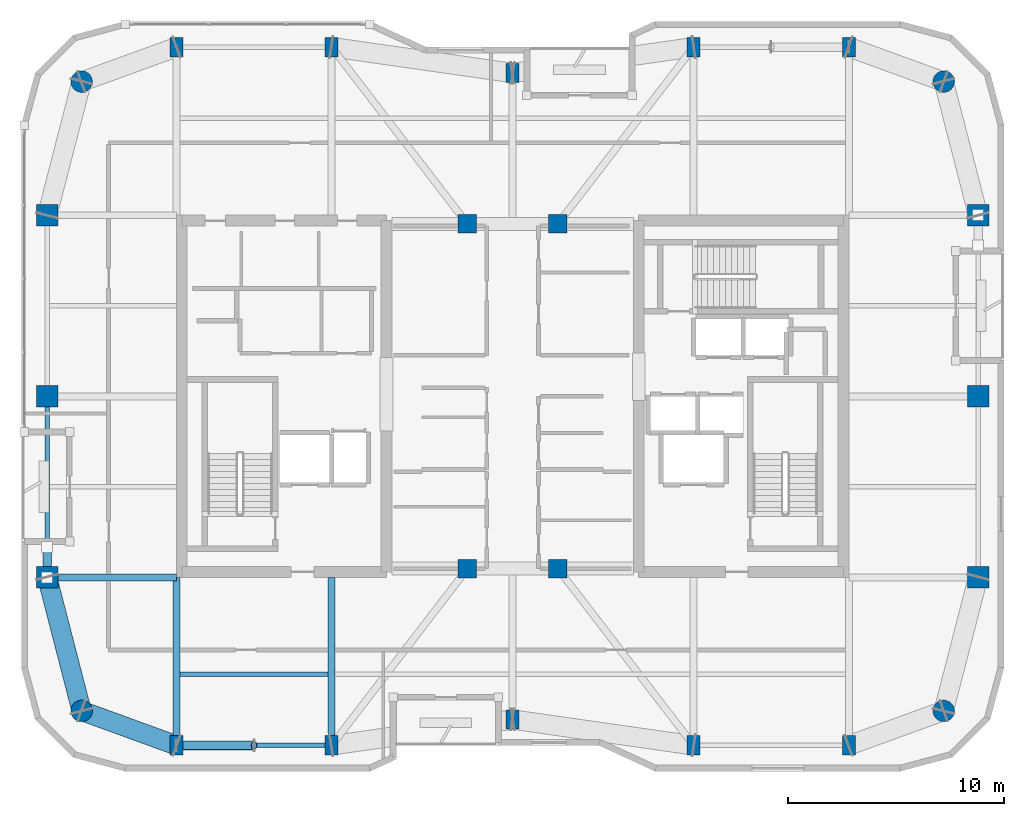
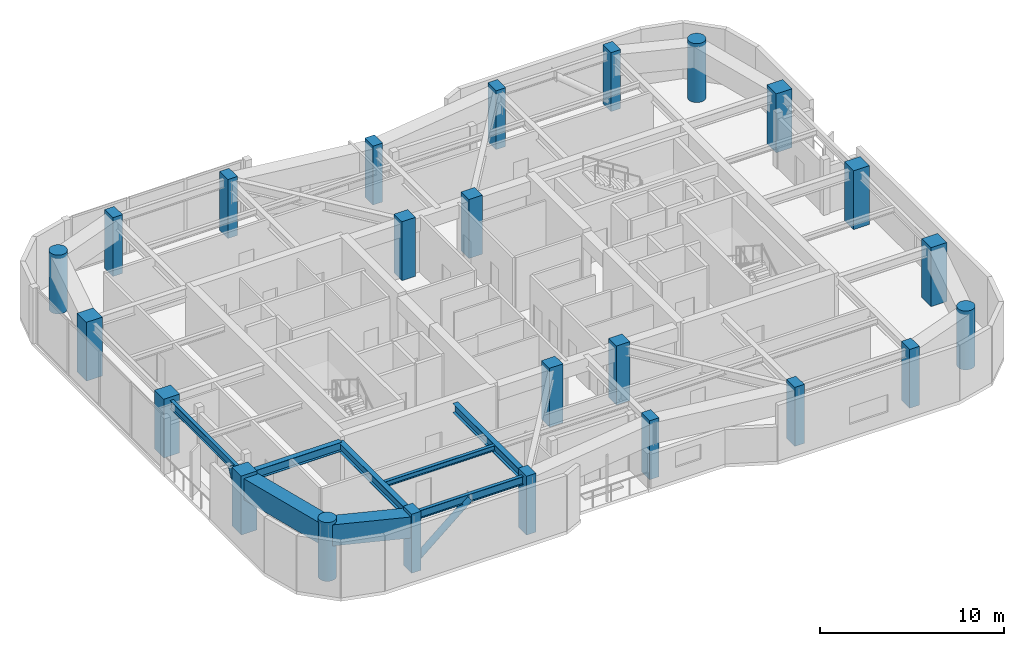
# One storey, part 1 of 15: 24 columns, 8 beams, 2 members.
"""IFC4 building model written with IfcOpenShell, lengths in metres."""

import ifcopenshell
import ifcopenshell.guid

model = None  # the IFC model being written
_history = None  # IfcOwnerHistory: only IFC2X3 demands one
_inside = {}  # id of a spatial element -> (the spatial element, [elements in it])
_under = {}  # id of a project, library or spatial element -> (it, [spatial elements below it])
_declared = {}  # id of a project -> (the project, [libraries it declares])
_typed = {}  # id of a type object -> (the type object, [elements of that type])
_made_of = {}  # id of a material, layer set ... -> (it, [elements and type objects made of it])


def new_model(schema):
    """Start an empty IFC model of exactly this schema.

    Asked for "IFC4X3", IfcOpenShell would pick the latest addendum, in which some entities
    have other attributes; the version numbers below select the first issue.
    IFC2X3 requires an IfcOwnerHistory on every rooted entity: one is made here for all.
    """
    global model, _history
    if schema == "IFC4X3":
        model = ifcopenshell.file(schema_version=(4, 3, 0, 0))
    else:
        model = ifcopenshell.file(schema=schema)
    _inside.clear()
    _under.clear()
    _declared.clear()
    _typed.clear()
    _made_of.clear()
    _history = None
    if model.schema == "IFC2X3":
        org = make("IfcOrganization", Name="unknown")
        user = make(
            "IfcPersonAndOrganization",
            ThePerson=make("IfcPerson", FamilyName="unknown"),
            TheOrganization=org,
        )
        app = make(
            "IfcApplication",
            ApplicationDeveloper=org,
            Version="unknown",
            ApplicationFullName="unknown",
            ApplicationIdentifier="unknown",
        )
        _history = make(
            "IfcOwnerHistory",
            OwningUser=user,
            OwningApplication=app,
            ChangeAction="ADDED",
            CreationDate=0,
        )
    return model


def make(cls, **values):
    """One entity of the class cls with the attributes given. An attribute that is None is left unset."""
    return model.create_entity(
        cls, **{name: value for name, value in values.items() if value is not None}
    )


def rooted(cls, **values):
    """An entity with a GlobalId (a new one), such as an element, a storey or a relation."""
    return make(cls, GlobalId=ifcopenshell.guid.new(), OwnerHistory=_history, **values)


def si_unit(unit_type, name, prefix=None):
    """IfcSIUnit, for example si_unit("LENGTHUNIT", "METRE", prefix="MILLI")."""
    return make("IfcSIUnit", UnitType=unit_type, Prefix=prefix, Name=name)


def assignment(units):
    """IfcUnitAssignment: the units of a project."""
    return None if units is None else make("IfcUnitAssignment", Units=units)


def point(xyz):
    """IfcCartesianPoint."""
    return None if xyz is None else make("IfcCartesianPoint", Coordinates=xyz)


def direction(xyz):
    """IfcDirection."""
    return None if xyz is None else make("IfcDirection", DirectionRatios=xyz)


def frame(location, z_axis=None, x_axis=None):
    """IfcAxis2Placement3D, a coordinate frame: its origin and axes. An axis left out is left unset."""
    return make(
        "IfcAxis2Placement3D",
        Location=point(location),
        Axis=direction(z_axis),
        RefDirection=direction(x_axis),
    )


def frame_2d(location, x_axis=None):
    """IfcAxis2Placement2D, a coordinate frame in the plane: its origin and x axis."""
    return make(
        "IfcAxis2Placement2D", Location=point(location), RefDirection=direction(x_axis)
    )


def origin():
    """The frame at (0, 0, 0) with its axes left unset."""
    return frame((0.0, 0.0, 0.0))


def origin_2d():
    """The frame at (0, 0) in the plane with its x axis left unset."""
    return frame_2d((0.0, 0.0))


def place(relative_to, where):
    """IfcLocalPlacement: puts the frame where relative to a parent placement (None: the world)."""
    return make(
        "IfcLocalPlacement", PlacementRelTo=relative_to, RelativePlacement=where
    )


def context(
    kind, dimensions, precision=None, world=None, true_north=None, identifier=None
):
    """IfcGeometricRepresentationContext, for example the 3D "Model" context."""
    return make(
        "IfcGeometricRepresentationContext",
        ContextIdentifier=identifier,
        ContextType=kind,
        CoordinateSpaceDimension=dimensions,
        Precision=precision,
        WorldCoordinateSystem=world,
        TrueNorth=true_north,
    )


def subcontext(parent, identifier, kind, view, scale=None):
    """IfcGeometricRepresentationSubContext, for example "Body" below "Model"."""
    return make(
        "IfcGeometricRepresentationSubContext",
        ContextIdentifier=identifier,
        ContextType=kind,
        ParentContext=parent,
        TargetScale=scale,
        TargetView=view,
    )


def project(units=None, contexts=None):
    """IfcProject with its units and contexts."""
    return rooted(
        "IfcProject",
        Name="project",
        RepresentationContexts=contexts,
        UnitsInContext=assignment(units),
    )


def spatial(cls, under=None, at=None, **own):
    """A site, building, storey or space (cls), placed at a placement, below another one or the project."""
    s = rooted(cls, ObjectPlacement=at, **own)
    if under is not None:
        _under.setdefault(under.id(), (under, []))[1].append(s)
    return s


def profile(cls, at=None, kind="AREA", **sizes):
    """A parametric profile (cls). Its sizes go by their IFC names, for example OverallWidth=200.0."""
    return make(cls, ProfileType=kind, Position=at, **sizes)


def rectangle(**sizes):
    """IfcRectangleProfileDef."""
    return profile("IfcRectangleProfileDef", **sizes)


def hollow_rectangle(**sizes):
    """IfcRectangleHollowProfileDef."""
    return profile("IfcRectangleHollowProfileDef", **sizes)


def circle(**sizes):
    """IfcCircleProfileDef."""
    return profile("IfcCircleProfileDef", **sizes)


def hollow_circle(**sizes):
    """IfcCircleHollowProfileDef."""
    return profile("IfcCircleHollowProfileDef", **sizes)


def i_section(**sizes):
    """IfcIShapeProfileDef."""
    return profile("IfcIShapeProfileDef", **sizes)


def extrude(swept, where, along, depth):
    """IfcExtrudedAreaSolid: the profile swept, set in the frame where, extruded along a direction by depth."""
    return make(
        "IfcExtrudedAreaSolid",
        SweptArea=swept,
        Position=where,
        ExtrudedDirection=direction(along),
        Depth=depth,
    )


def shape(context_of_items, identifier, shape_type, items):
    """IfcShapeRepresentation: the items that make up one representation, for example the "Body"."""
    return make(
        "IfcShapeRepresentation",
        ContextOfItems=context_of_items,
        RepresentationIdentifier=identifier,
        RepresentationType=shape_type,
        Items=items,
    )


def material(Name=None, Category=None):
    """IfcMaterial."""
    return make("IfcMaterial", Name=Name, Category=Category)


def material_profile(
    of_material, cross_section, Name=None, Category=None, Priority=None
):
    """IfcMaterialProfile: a cross section and its material."""
    return make(
        "IfcMaterialProfile",
        Name=Name,
        Material=of_material,
        Profile=cross_section,
        Priority=Priority,
        Category=Category,
    )


def profile_set(profiles, Name=None, composite=None):
    """IfcMaterialProfileSet."""
    return make(
        "IfcMaterialProfileSet",
        Name=Name,
        MaterialProfiles=profiles,
        CompositeProfile=composite,
    )


def made_of(thing, what):
    """Note that an element or type object is made of a material, layer set ...; save() writes the relation."""
    if what is not None:
        _made_of.setdefault(what.id(), (what, []))[1].append(thing)
    return thing


def type_object(cls, material=None, **own):
    """A type object (cls), such as IfcWallType, which elements share."""
    return made_of(rooted(cls, **own), material)


def element(
    cls,
    number,
    at=None,
    inside=None,
    cuts=None,
    type_object=None,
    material=None,
    context=None,
    identifier="Body",
    shape_type=None,
    held_by="IfcProductDefinitionShape",
    body=None,
    shapes=None,
    **own,
):
    """One element of the class cls, such as IfcWall. Its Tag is "e" and its number.

    at: its placement. inside: the storey or other place that contains it. cuts: it is an
    opening in that element (IfcRelVoidsElement). A single representation is given by context,
    identifier, shape_type and body (its items); several are given by shapes. held_by: the class
    of the entity that holds the representations. save() writes the other relations.
    """
    e = rooted(cls, Tag="e%d" % number, ObjectPlacement=at, **own)
    if body is not None:
        shapes = [shape(context, identifier, shape_type, body)]
    if shapes is not None:
        e.Representation = make(held_by, Representations=shapes)
    if inside is not None:
        _inside.setdefault(inside.id(), (inside, []))[1].append(e)
    if cuts is not None:
        rooted(
            "IfcRelVoidsElement", RelatingBuildingElement=cuts, RelatedOpeningElement=e
        )
    if type_object is not None:
        _typed.setdefault(type_object.id(), (type_object, []))[1].append(e)
    return made_of(e, material)


def aggregate(whole, parts):
    """IfcRelAggregates: a whole, such as a stair, and the parts it consists of."""
    return rooted("IfcRelAggregates", RelatingObject=whole, RelatedObjects=parts)


def save(model, path):
    """Write the relations noted so far, then the file.

    IfcRelAggregates (storeys below a building ...), IfcRelContainedInSpatialStructure (elements
    in a storey), IfcRelDefinesByType, IfcRelAssociatesMaterial and IfcRelDeclares: one each for
    every whole, place, type object, material and project.
    """
    for whole, parts in _under.values():
        aggregate(whole, parts)
    for where, things in _inside.values():
        rooted(
            "IfcRelContainedInSpatialStructure",
            RelatedElements=things,
            RelatingStructure=where,
        )
    for kind, things in _typed.values():
        rooted("IfcRelDefinesByType", RelatedObjects=things, RelatingType=kind)
    for what, things in _made_of.values():
        rooted("IfcRelAssociatesMaterial", RelatedObjects=things, RelatingMaterial=what)
    for by, libraries in _declared.values():
        rooted("IfcRelDeclares", RelatingContext=by, RelatedDefinitions=libraries)
    model.write(path)


model = new_model("IFC4")

# Units and contexts
model_context = context("Model", 3, precision=1e-05, world=origin(), true_north=direction((0.0, 1.0)))
body_context = subcontext(model_context, "Body", "Model", "MODEL_VIEW")
ifc_project = project(units=[si_unit("LENGTHUNIT", "METRE"), si_unit("AREAUNIT", "SQUARE_METRE"), si_unit("VOLUMEUNIT", "CUBIC_METRE"), si_unit("PLANEANGLEUNIT", "RADIAN"), si_unit("MASSUNIT", "GRAM", prefix="KILO")], contexts=[model_context])

# Site, building, storey
site_placement = place(None, origin())
site = spatial("IfcSite", under=ifc_project, at=site_placement, CompositionType="ELEMENT")
building_placement = place(site_placement, origin())
building = spatial("IfcBuilding", under=site, at=building_placement, Name="Kiyonajd Concourse Tower", CompositionType="ELEMENT")
storey_placement = place(building_placement, frame((0.0, 0.0, 286.199951171875)))
storey = spatial("IfcBuildingStorey", under=building, at=storey_placement, Name="L72", CompositionType="ELEMENT", Elevation=286.199951171875)

# Columns
ifc_material_1 = material(Name="Concrete C60/75", Category="concrete")
ifc_material_profile_1 = material_profile(ifc_material_1, rectangle(XDim=0.60009765625, YDim=0.89990234375, at=origin_2d()), Name="RC-900x600")
ifc_profile_set_1 = profile_set([ifc_material_profile_1], Name="Concrete C60/75")
column_type_1 = type_object("IfcColumnType", Name="CL-BLADE-900", PredefinedType="COLUMN", material=ifc_profile_set_1)
for number, where, z_axis, x_axis, name in (
    (1, (32.39990234375, 19.800048828125, 0.0), (0.0, 0.0, 1.0), (1.0, 0.0, 0.0), "L72 Perimeter Bundled Tube Column"),
    (2, (32.39990234375, 52.199951171875, 0.0), (0.0, 0.0, 1.0), (1.0, 0.0, 0.0), "L72 Perimeter Bundled Tube Column"),
    (3, (39.60009765625, 19.800048828125, 0.0), (0.0, 0.0, 1.0), (1.0, 0.0, 0.0), "L72 Perimeter Bundled Tube Column"),
    (4, (39.60009765625, 52.199951171875, 0.0), (0.0, 0.0, 1.0), (1.0, 0.0, 0.0), "L72 Perimeter Bundled Tube Column"),
    (5, (48.0, 21.0, 0.0), (0.0, 0.0, 1.0), (1.0, 0.0, 0.0), "L72 Perimeter Bundled Tube Column"),
    (6, (48.0, 51.0, 0.0), (0.0, 0.0, 1.0), (1.0, 0.0, 0.0), "L72 Perimeter Bundled Tube Column"),
    (7, (56.39990234375, 19.800048828125, 0.0), (0.0, 0.0, 1.0), (1.0, 0.0, 0.0), "L72 Perimeter Bundled Tube Column"),
    (8, (56.39990234375, 52.199951171875, 0.0), (0.0, 0.0, 1.0), (1.0, 0.0, 0.0), "L72 Perimeter Bundled Tube Column"),
    (9, (63.60009765625, 19.800048828125, 0.0), (0.0, 0.0, 1.0), (1.0, 0.0, 0.0), "L72 Perimeter Bundled Tube Column"),
    (10, (63.60009765625, 52.199951171875, 0.0), (0.0, 0.0, 1.0), (1.0, 0.0, 0.0), "L72 Perimeter Bundled Tube Column"),
):
    element("IfcColumn", number, at=place(storey_placement, frame(where, z_axis=z_axis, x_axis=x_axis)), inside=storey, type_object=column_type_1, Name=name, PredefinedType="COLUMN", context=body_context, shape_type="SweptSolid", body=[
        extrude(rectangle(XDim=0.60009765625, YDim=0.89990234375, at=origin_2d()), origin(), (0.0, 0.0, 1.0), 3.900146484375),
    ])
ifc_material_profile_2 = material_profile(ifc_material_1, circle(Radius=0.5, at=origin_2d()), Name="RCC-D1000")
ifc_profile_set_2 = profile_set([ifc_material_profile_2], Name="Concrete C60/75")
column_type_2 = type_object("IfcColumnType", Name="CL-RND-1000", PredefinedType="COLUMN", material=ifc_profile_set_2)
for number, where, z_axis, x_axis, name in (
    (11, (28.0, 21.39990234375, 0.0), (0.0, 0.0, 1.0), (1.0, 0.0, 0.0), "L72 Bundled Tube Corner Column South West"),
    (12, (68.0, 21.39990234375, 0.0), (0.0, 0.0, 1.0), (1.0, 0.0, 0.0), "L72 Bundled Tube Corner Column South East"),
    (13, (68.0, 50.60009765625, 0.0), (0.0, 0.0, 1.0), (1.0, 0.0, 0.0), "L72 Bundled Tube Corner Column North East"),
    (14, (28.0, 50.60009765625, 0.0), (0.0, 0.0, 1.0), (1.0, 0.0, 0.0), "L72 Bundled Tube Corner Column North West"),
):
    element("IfcColumn", number, at=place(storey_placement, frame(where, z_axis=z_axis, x_axis=x_axis)), inside=storey, type_object=column_type_2, Name=name, PredefinedType="COLUMN", context=body_context, shape_type="SweptSolid", body=[
        extrude(circle(Radius=0.5, at=origin_2d()), origin(), (0.0, 0.0, 1.0), 3.900146484375),
    ])
ifc_material_profile_3 = material_profile(ifc_material_1, rectangle(XDim=1.0, YDim=1.0, at=origin_2d()), Name="RC-1000x1000")
ifc_profile_set_3 = profile_set([ifc_material_profile_3], Name="Concrete C60/75")
column_type_3 = type_object("IfcColumnType", Name="CL-TUBE-1000", PredefinedType="COLUMN", material=ifc_profile_set_3)
for number, where, z_axis, x_axis, name in (
    (15, (26.39990234375, 27.60009765625, 0.0), (0.0, 0.0, 1.0), (1.0, 0.0, 0.0), "L72 Perimeter Bundled Tube Column"),
    (16, (69.60009765625, 27.60009765625, 0.0), (0.0, 0.0, 1.0), (1.0, 0.0, 0.0), "L72 Perimeter Bundled Tube Column"),
    (17, (26.39990234375, 36.0, 0.0), (0.0, 0.0, 1.0), (1.0, 0.0, 0.0), "L72 Perimeter Bundled Tube Column"),
    (18, (69.60009765625, 36.0, 0.0), (0.0, 0.0, 1.0), (1.0, 0.0, 0.0), "L72 Perimeter Bundled Tube Column"),
    (19, (26.39990234375, 44.39990234375, 0.0), (0.0, 0.0, 1.0), (1.0, 0.0, 0.0), "L72 Perimeter Bundled Tube Column"),
    (20, (69.60009765625, 44.39990234375, 0.0), (0.0, 0.0, 1.0), (1.0, 0.0, 0.0), "L72 Perimeter Bundled Tube Column"),
):
    element("IfcColumn", number, at=place(storey_placement, frame(where, z_axis=z_axis, x_axis=x_axis)), inside=storey, type_object=column_type_3, Name=name, PredefinedType="COLUMN", context=body_context, shape_type="SweptSolid", body=[
        extrude(rectangle(XDim=1.0, YDim=1.0, at=origin_2d()), origin(), (0.0, 0.0, 1.0), 3.900146484375),
    ])
ifc_material_profile_4 = material_profile(ifc_material_1, rectangle(XDim=0.85009765625, YDim=0.85009765625, at=origin_2d()), Name="RC-850x850")
ifc_profile_set_4 = profile_set([ifc_material_profile_4], Name="Concrete C60/75")
column_type_4 = type_object("IfcColumnType", Name="CL-TUBE-850", PredefinedType="COLUMN", material=ifc_profile_set_4)
for number, where, z_axis, x_axis, name in (
    (21, (45.89990234375, 28.0, 0.0), (0.0, 0.0, 1.0), (1.0, 0.0, 0.0), "L72 Core Tie Column South West"),
    (22, (50.10009765625, 28.0, 0.0), (0.0, 0.0, 1.0), (1.0, 0.0, 0.0), "L72 Core Tie Column South East"),
    (23, (45.89990234375, 44.0, 0.0), (0.0, 0.0, 1.0), (1.0, 0.0, 0.0), "L72 Core Tie Column North West"),
    (24, (50.10009765625, 44.0, 0.0), (0.0, 0.0, 1.0), (1.0, 0.0, 0.0), "L72 Core Tie Column North East"),
):
    element("IfcColumn", number, at=place(storey_placement, frame(where, z_axis=z_axis, x_axis=x_axis)), inside=storey, type_object=column_type_4, Name=name, PredefinedType="COLUMN", context=body_context, shape_type="SweptSolid", body=[
        extrude(rectangle(XDim=0.85009765625, YDim=0.85009765625, at=origin_2d()), origin(), (0.0, 0.0, 1.0), 3.900146484375),
    ])

# Beams
ifc_material_2 = material(Name="Steel ASTM A992 Grade 50", Category="steel")
ifc_material_profile_5 = material_profile(ifc_material_2, i_section(OverallWidth=0.205078125, OverallDepth=0.35400390625, WebThickness=0.009521484375, FlangeThickness=0.016845703125, at=origin_2d()), Name="W360X79")
ifc_profile_set_5 = profile_set([ifc_material_profile_5], Name="Steel ASTM A992 Grade 50")
beam_type_1 = type_object("IfcBeamType", Name="BM-JST-360", PredefinedType="JOIST", material=ifc_profile_set_5)
beam_1_placement = place(storey_placement, frame((32.56201171875, 23.10009765625, 3.5029296875), z_axis=(1.0, 0.0, 0.0), x_axis=(0.0, 1.0, 0.0)))
element("IfcBeam", 25, at=beam_1_placement, inside=storey, type_object=beam_type_1, Name="L72 Secondary Floor Joist", PredefinedType="JOIST", context=body_context, shape_type="SweptSolid", body=[
    extrude(i_section(OverallWidth=0.205078125, OverallDepth=0.35400390625, WebThickness=0.009521484375, FlangeThickness=0.016845703125, at=origin_2d()), origin(), (0.0, 0.0, 1.0), 6.8759765625),
])
ifc_material_profile_6 = material_profile(ifc_material_2, i_section(OverallWidth=0.2109375, OverallDepth=0.5390625, WebThickness=0.01171875, FlangeThickness=0.018798828125, at=origin_2d()), Name="W530X109")
ifc_profile_set_6 = profile_set([ifc_material_profile_6], Name="Steel ASTM A992 Grade 50")
beam_type_2 = type_object("IfcBeamType", Name="BM-SPAN-530B", PredefinedType="SPANDREL", material=ifc_profile_set_6)
beam_2_placement = place(storey_placement, frame((32.39990234375, 19.800048828125, 3.41064453125), z_axis=(1.0, 0.0, 0.0), x_axis=(0.0, 1.0, 0.0)))
element("IfcBeam", 26, at=beam_2_placement, inside=storey, type_object=beam_type_2, Name="L72 Perimeter Bundled Tube Spandrel", PredefinedType="SPANDREL", context=body_context, shape_type="SweptSolid", body=[
    extrude(i_section(OverallWidth=0.2109375, OverallDepth=0.5390625, WebThickness=0.01171875, FlangeThickness=0.018798828125, at=origin_2d()), origin(), (0.0, 0.0, 1.0), 7.2001953125),
])
beam_3_placement = place(storey_placement, frame((26.39990234375, 36.0, 3.41064453125), z_axis=(0.0, -1.0, 0.0), x_axis=(1.0, 0.0, 0.0)))
element("IfcBeam", 27, at=beam_3_placement, inside=storey, type_object=beam_type_2, Name="L72 Perimeter Bundled Tube Spandrel", PredefinedType="SPANDREL", context=body_context, shape_type="SweptSolid", body=[
    extrude(i_section(OverallWidth=0.2109375, OverallDepth=0.5390625, WebThickness=0.01171875, FlangeThickness=0.018798828125, at=origin_2d()), origin(), (0.0, 0.0, 1.0), 8.39990234375),
])
ifc_material_profile_7 = material_profile(ifc_material_2, i_section(OverallWidth=0.323974609375, OverallDepth=0.611083984375, WebThickness=0.0126953125, FlangeThickness=0.01904296875, at=origin_2d()), Name="W610X155")
ifc_profile_set_7 = profile_set([ifc_material_profile_7], Name="Steel ASTM A992 Grade 50")
beam_type_3 = type_object("IfcBeamType", Name="BM-TWR-610B", PredefinedType="BEAM", material=ifc_profile_set_7)
for number, where, z_axis, x_axis, name in (
    (28, (32.39990234375, 19.800048828125, 3.37451171875), (0.0, 1.0, 0.0), (-1.0, 0.0, 0.0), "L72 South Lease Girder"),
    (29, (39.60009765625, 19.800048828125, 3.37451171875), (0.0, 1.0, 0.0), (-1.0, 0.0, 0.0), "L72 South Lease Girder"),
):
    element("IfcBeam", number, at=place(storey_placement, frame(where, z_axis=z_axis, x_axis=x_axis)), inside=storey, type_object=beam_type_3, Name=name, PredefinedType="BEAM", context=body_context, shape_type="SweptSolid", body=[
        extrude(i_section(OverallWidth=0.323974609375, OverallDepth=0.611083984375, WebThickness=0.0126953125, FlangeThickness=0.01904296875, at=origin_2d()), origin(), (0.0, 0.0, 1.0), 7.800048828125),
    ])
beam_4_placement = place(storey_placement, frame((26.39990234375, 27.60009765625, 3.37451171875), z_axis=(1.0, 0.0, 0.0), x_axis=(0.0, 1.0, 0.0)))
element("IfcBeam", 30, at=beam_4_placement, inside=storey, type_object=beam_type_3, Name="L72 West Lease Girder", PredefinedType="BEAM", context=body_context, shape_type="SweptSolid", body=[
    extrude(i_section(OverallWidth=0.323974609375, OverallDepth=0.611083984375, WebThickness=0.0126953125, FlangeThickness=0.01904296875, at=origin_2d()), origin(), (0.0, 0.0, 1.0), 6.0),
])
ifc_material_3 = material(Name="Steel ASTM A572 Grade 50", Category="steel")
ifc_material_profile_8 = material_profile(ifc_material_3, hollow_rectangle(XDim=0.89990234375, YDim=1.39990234375, WallThickness=0.070068359375, at=origin_2d()), Name="BOX-1400x900x70")
ifc_profile_set_8 = profile_set([ifc_material_profile_8], Name="Steel ASTM A572 Grade 50")
beam_type_4 = type_object("IfcBeamType", Name="BM-XFER-1400", PredefinedType="BEAM", material=ifc_profile_set_8)
beam_5_placement = place(storey_placement, frame((26.39990234375, 27.60009765625, 2.97998046875), z_axis=(0.249884937687, -0.968275538221, 0.0), x_axis=(0.968275538221, 0.249884937687, 0.0)))
element("IfcBeam", 31, at=beam_5_placement, inside=storey, type_object=beam_type_4, Name="L72 Perimeter Bundled Tube Spandrel", PredefinedType="BEAM", context=body_context, shape_type="SweptSolid", body=[
    extrude(hollow_rectangle(XDim=0.89990234375, YDim=1.39990234375, WallThickness=0.070068359375, at=origin_2d()), origin(), (0.0, 0.0, 1.0), 6.4033203125),
])
beam_6_placement = place(storey_placement, frame((28.0, 21.39990234375, 2.97998046875), z_axis=(0.939801036019, -0.341722127901, 0.0), x_axis=(0.341722127901, 0.939801036019, 0.0)))
element("IfcBeam", 32, at=beam_6_placement, inside=storey, type_object=beam_type_4, Name="L72 Perimeter Bundled Tube Spandrel", PredefinedType="BEAM", context=body_context, shape_type="SweptSolid", body=[
    extrude(hollow_rectangle(XDim=0.89990234375, YDim=1.39990234375, WallThickness=0.070068359375, at=origin_2d()), origin(), (0.0, 0.0, 1.0), 4.681640625),
])

# Members
ifc_material_4 = material(Name="Steel ASTM A500 Grade C", Category="steel")
ifc_material_profile_9 = material_profile(ifc_material_4, hollow_circle(Radius=0.202880859375, WallThickness=0.01904296875, at=origin_2d()), Name="CHS-406x19")
ifc_profile_set_9 = profile_set([ifc_material_profile_9], Name="Steel ASTM A500 Grade C")
member_type = type_object("IfcMemberType", Name="MB-PB-HIGH", PredefinedType="BRACE", material=ifc_profile_set_9)
member_1_placement = place(storey_placement, frame((32.39990234375, 19.800048828125, 0.300048828125), z_axis=(0.765082043761, 0.0, 0.643932811957), x_axis=(0.0, 1.0, 0.0)))
element("IfcMember", 33, at=member_1_placement, inside=storey, type_object=member_type, Name="L72 Upper Zone Hollow Tube Brace PBS", PredefinedType="BRACE", context=body_context, shape_type="SweptSolid", body=[
    extrude(hollow_circle(Radius=0.202880859375, WallThickness=0.01904296875, at=origin_2d()), origin(), (0.0, 0.0, 1.0), 4.70556640625),
])
member_2_placement = place(storey_placement, frame((26.39990234375, 27.60009765625, 0.300048828125), z_axis=(0.0, 0.419410666774, 0.907796614114), x_axis=(-1.0, 0.0, 0.0)))
element("IfcMember", 34, at=member_2_placement, inside=storey, type_object=member_type, Name="L72 Upper Zone Hollow Tube Brace PBW", PredefinedType="BRACE", context=body_context, shape_type="SweptSolid", body=[
    extrude(hollow_circle(Radius=0.202880859375, WallThickness=0.01904296875, at=origin_2d()), origin(), (0.0, 0.0, 1.0), 3.337890625),
])

save(model, "model.ifc")
